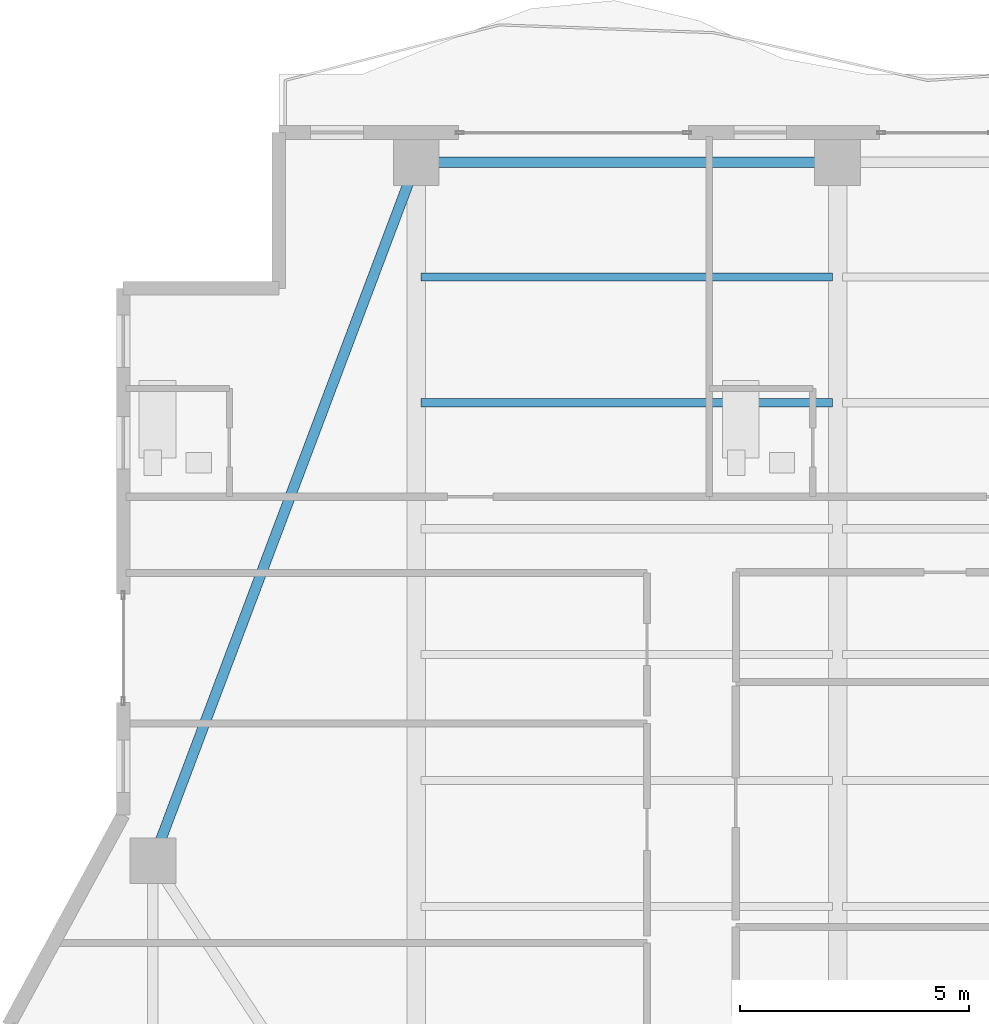
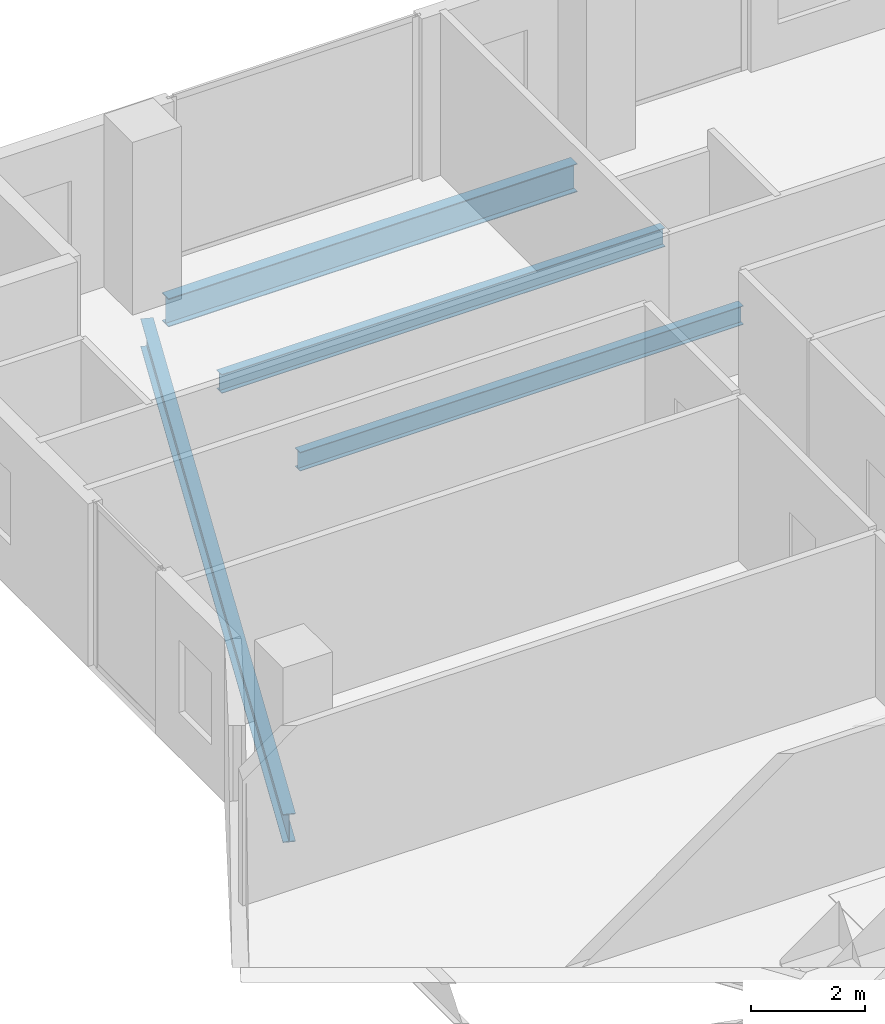
# One storey, part 11 of 23: 4 beams.
"""IFC4 building model written with IfcOpenShell, lengths in metres."""

from ifc_helpers import new_model, si_unit, direction, frame, origin, origin_2d, place, context, subcontext, project, spatial, i_section, extrude, material, material_profile, profile_set, type_object, element, save


model = new_model("IFC4")

# Units and contexts
model_context = context("Model", 3, precision=1e-05, world=origin(), true_north=direction((0.0, 1.0)))
body_context = subcontext(model_context, "Body", "Model", "MODEL_VIEW")
ifc_project = project(units=[si_unit("LENGTHUNIT", "METRE"), si_unit("AREAUNIT", "SQUARE_METRE"), si_unit("VOLUMEUNIT", "CUBIC_METRE"), si_unit("PLANEANGLEUNIT", "RADIAN"), si_unit("MASSUNIT", "GRAM", prefix="KILO")], contexts=[model_context])

# Site, building, storey
site_placement = place(None, origin())
site = spatial("IfcSite", under=ifc_project, at=site_placement, CompositionType="ELEMENT")
building_placement = place(site_placement, origin())
building = spatial("IfcBuilding", under=site, at=building_placement, Name="Zuhayl Quay Hotel", CompositionType="ELEMENT")
storey_placement = place(building_placement, frame((0.0, 0.0, 265.550048828125)))
storey = spatial("IfcBuildingStorey", under=building, at=storey_placement, Name="L67", CompositionType="ELEMENT", Elevation=265.550048828125)

# Beams
ifc_material = material(Name="Steel ASTM A992 Grade 50", Category="steel")
ifc_material_profile_1 = material_profile(ifc_material, i_section(OverallWidth=0.22802734375, OverallDepth=0.60693359375, WebThickness=0.01123046875, FlangeThickness=0.017333984375, at=origin_2d()), Name="W24X76")
ifc_profile_set_1 = profile_set([ifc_material_profile_1], Name="Steel ASTM A992 Grade 50")
beam_type_1 = type_object("IfcBeamType", Name="BM_B3_W24X76", PredefinedType="BEAM", material=ifc_profile_set_1)
beam_1_placement = place(storey_placement, frame((-5.06005859375, 38.35009765625, -0.5234375), z_axis=(-1.0, 0.0, 0.0), x_axis=(0.0, -1.0, 0.0)))
element("IfcBeam", 1, at=beam_1_placement, inside=storey, type_object=beam_type_1, Name="L67 Floor Beam RG_L67_09", PredefinedType="BEAM", context=body_context, shape_type="SweptSolid", body=[
    extrude(i_section(OverallWidth=0.22802734375, OverallDepth=0.60693359375, WebThickness=0.01123046875, FlangeThickness=0.017333984375, at=origin_2d()), origin(), (0.0, 0.0, 1.0), 8.280029296875),
])
beam_2_placement = place(storey_placement, frame((-13.96240234375, 37.919677734375, -0.5234375), z_axis=(-0.352796603103, -0.935700035716, 0.0), x_axis=(0.935700035716, -0.352796603103, 0.0)))
element("IfcBeam", 2, at=beam_2_placement, inside=storey, type_object=beam_type_1, Name="L67 Floor Beam RG_L67_10", PredefinedType="BEAM", context=body_context, shape_type="SweptSolid", body=[
    extrude(i_section(OverallWidth=0.22802734375, OverallDepth=0.60693359375, WebThickness=0.01123046875, FlangeThickness=0.017333984375, at=origin_2d()), origin(), (0.0, 0.0, 1.0), 15.3779296875),
])
ifc_material_profile_2 = material_profile(ifc_material, i_section(OverallWidth=0.177978515625, OverallDepth=0.404052734375, WebThickness=0.007568359375, FlangeThickness=0.010986328125, at=origin_2d()), Name="W16X36")
ifc_profile_set_2 = profile_set([ifc_material_profile_2], Name="Steel ASTM A992 Grade 50")
beam_type_2 = type_object("IfcBeamType", Name="BM_J3_W16X36", PredefinedType="JOIST", material=ifc_profile_set_2)
for number, where, z_axis, x_axis, name in (
    (3, (-13.694091796875, 33.10009765625, -0.422119140625), (1.0, 0.0, 0.0), (0.0, 1.0, 0.0), "L67 Floor Beam FJ_L67_7_1"),
    (4, (-13.694091796875, 35.85009765625, -0.422119140625), (1.0, 0.0, 0.0), (0.0, 1.0, 0.0), "L67 Floor Beam FJ_L67_8_1"),
):
    element("IfcBeam", number, at=place(storey_placement, frame(where, z_axis=z_axis, x_axis=x_axis)), inside=storey, type_object=beam_type_2, Name=name, PredefinedType="JOIST", context=body_context, shape_type="SweptSolid", body=[
        extrude(i_section(OverallWidth=0.177978515625, OverallDepth=0.404052734375, WebThickness=0.007568359375, FlangeThickness=0.010986328125, at=origin_2d()), origin(), (0.0, 0.0, 1.0), 8.988037109375),
    ])

save(model, "model.ifc")
